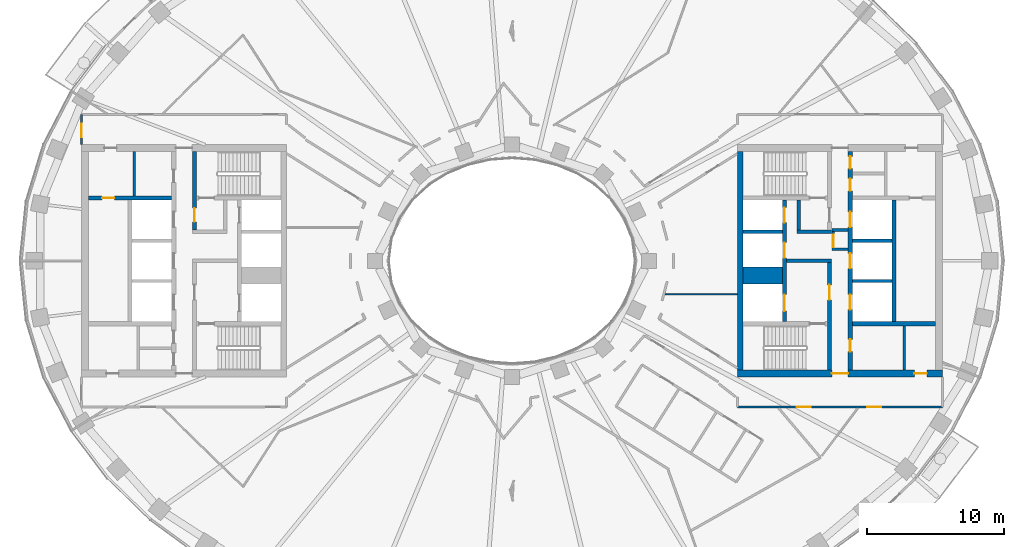
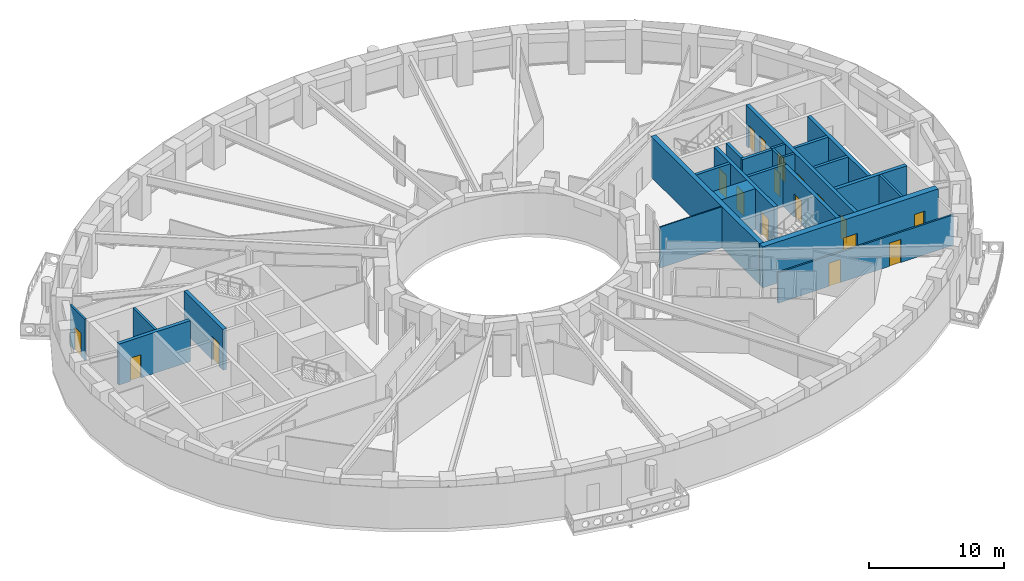
# One storey, part 5 of 16: 24 walls, 18 doors, 18 openings.
"""IFC4 building model written with IfcOpenShell, lengths in metres."""

from ifc_helpers import new_model, si_unit, direction, frame, frame_2d, origin, place, context, subcontext, project, spatial, rectangle, extrude, material, layer, layer_set, type_object, element, fill, save


model = new_model("IFC4")

# Units and contexts
model_context = context("Model", 3, precision=1e-05, world=origin(), true_north=direction((0.0, 1.0)))
body_context = subcontext(model_context, "Body", "Model", "MODEL_VIEW")
ifc_project = project(units=[si_unit("LENGTHUNIT", "METRE"), si_unit("AREAUNIT", "SQUARE_METRE"), si_unit("VOLUMEUNIT", "CUBIC_METRE"), si_unit("PLANEANGLEUNIT", "RADIAN"), si_unit("MASSUNIT", "GRAM", prefix="KILO")], contexts=[model_context])

# Site, building, storey
site_placement = place(None, origin())
site = spatial("IfcSite", under=ifc_project, at=site_placement, CompositionType="ELEMENT")
building_placement = place(site_placement, origin())
building = spatial("IfcBuilding", under=site, at=building_placement, Name="Noorbagh Ring Tower", CompositionType="ELEMENT")
storey_placement = place(building_placement, frame((0.0, 0.0, 166.0)))
storey = spatial("IfcBuildingStorey", under=building, at=storey_placement, Name="L38", CompositionType="ELEMENT", Elevation=166.0)

# Walls
ifc_material_1 = material(Name="Gypsum board on steel studs", Category="steel")
ifc_layer_1 = layer(ifc_material_1, 0.199951171875)
ifc_layer_set_1 = layer_set([ifc_layer_1], Name="Gypsum board on steel studs")
wall_type_1 = type_object("IfcWallType", Name="CORE-PARTITION-200", PredefinedType="PARTITIONING", material=ifc_layer_set_1)
wall_1_placement = place(storey_placement, frame((-27.64990234375, 4.75, 0.0), z_axis=(0.0, 0.0, 1.0), x_axis=(0.0, 1.0, 0.0)))
element("IfcWall", 1, at=wall_1_placement, inside=storey, type_object=wall_type_1, Name="Core partition W", PredefinedType="PARTITIONING", context=body_context, shape_type="SweptSolid", body=[
    extrude(rectangle(XDim=3.25, YDim=0.199951171875, at=frame_2d((1.625, 0.0))), origin(), (0.0, 0.0, 1.0), 3.699951171875),
])
for number, where, z_axis, x_axis, name in (
    (2, (23.39990234375, 0.85009765625, 0.0), (0.0, 0.0, 1.0), (1.0, 0.0, 0.0), "Core partition E"),
    (3, (23.39990234375, 2.25, 0.0), (0.0, 0.0, 1.0), (1.0, 0.0, 0.0), "Core partition E"),
):
    element("IfcWall", number, at=place(storey_placement, frame(where, z_axis=z_axis, x_axis=x_axis)), inside=storey, type_object=wall_type_1, Name=name, PredefinedType="PARTITIONING", context=body_context, shape_type="SweptSolid", body=[
        extrude(rectangle(XDim=1.2001953125, YDim=0.199951171875, at=frame_2d((0.60009765625, 0.0))), origin(), (0.0, 0.0, 1.0), 3.699951171875),
    ])

# Wall, opening, door
wall_2_placement = place(storey_placement, frame((23.5, 0.75, 0.0), z_axis=(0.0, 0.0, 1.0), x_axis=(0.0, 1.0, 0.0)))
wall_2 = element("IfcWall", 4, at=wall_2_placement, inside=storey, type_object=wall_type_1, Name="Core partition E", PredefinedType="PARTITIONING", context=body_context, shape_type="SweptSolid", body=[
    extrude(rectangle(XDim=1.60009765625, YDim=0.199951171875, at=frame_2d((0.800048828125, 0.0))), origin(), (0.0, 0.0, 1.0), 3.699951171875),
])
opening_1_placement = place(wall_2_placement, frame((0.25, 0.0, 0.0)))
opening_1 = element("IfcOpeningElement", 5, at=opening_1_placement, cuts=wall_2, Name="Opening L38-CE18", PredefinedType="OPENING", context=body_context, shape_type="SweptSolid", body=[
    extrude(rectangle(XDim=0.89990234375, YDim=2.10009765625, at=frame_2d((0.449951171875, 1.050048828125))), frame((0.0, 0.10986328125, 0.0), z_axis=(0.0, -1.0, 0.0), x_axis=(1.0, 0.0, 0.0)), (0.0, 0.0, 1.0), 0.219970703125),
])
ifc_material_2 = material(Name="Steel door leaf", Category="steel")
door_type_1 = type_object("IfcDoorType", Name="CORE-DOOR-DROOM", OperationType="SINGLE_SWING_LEFT", PredefinedType="DOOR", material=ifc_material_2)
door_1_placement = place(opening_1_placement, origin())
door_1 = element("IfcDoor", 6, at=door_1_placement, inside=storey, type_object=door_type_1, Name="Core room door L38-CE18", OperationType="SINGLE_SWING_LEFT", OverallHeight=2.10009765625, OverallWidth=0.89990234375, PredefinedType="DOOR", context=body_context, shape_type="SweptSolid", body=[
    extrude(rectangle(XDim=0.89990234375, YDim=2.10009765625, at=frame_2d((0.449951171875, 1.050048828125))), frame((0.0, 0.02490234375, 0.0), z_axis=(0.0, -1.0, 0.0), x_axis=(1.0, 0.0, 0.0)), (0.0, 0.0, 1.0), 0.050048828125),
])
fill(opening_1, door_1)

# Walls
wall_3_placement = place(storey_placement, frame((28.699951171875, -8.0, 0.0), z_axis=(0.0, 0.0, 1.0), x_axis=(0.0, 1.0, 0.0)))
element("IfcWall", 7, at=wall_3_placement, inside=storey, type_object=wall_type_1, Name="Core partition E", PredefinedType="PARTITIONING", context=body_context, shape_type="SweptSolid", body=[
    extrude(rectangle(XDim=3.25, YDim=0.199951171875, at=frame_2d((1.625, 0.0))), origin(), (0.0, 0.0, 1.0), 3.699951171875),
])
ifc_material_3 = material(Name="Concrete C60/75", Category="concrete")
ifc_layer_2 = layer(ifc_material_3, 1.25)
ifc_layer_set_2 = layer_set([ifc_layer_2], Name="Concrete C60/75")
wall_type_2 = type_object("IfcWallType", Name="CORE-WALL-1250-C60-75-EI120", PredefinedType="SHEAR", material=ifc_layer_set_2)
wall_4_placement = place(storey_placement, frame((16.89990234375, -1.074951171875, 0.0), z_axis=(0.0, 0.0, 1.0), x_axis=(1.0, 0.0, 0.0)))
element("IfcWall", 8, at=wall_4_placement, inside=storey, type_object=wall_type_2, Name="Core wall E", PredefinedType="SHEAR", context=body_context, shape_type="SweptSolid", body=[
    extrude(rectangle(XDim=2.900146484375, YDim=1.25, at=frame_2d((1.4501953125, 0.0))), origin(), (0.0, 0.0, 1.0), 3.699951171875),
])
ifc_material_4 = material(Name="Concrete C60/75", Category="concrete")
ifc_layer_3 = layer(ifc_material_4, 0.25)
ifc_layer_set_3 = layer_set([ifc_layer_3], Name="Concrete C60/75")
wall_type_3 = type_object("IfcWallType", Name="CORE-WALL-250-C60-75-EI120", PredefinedType="SHEAR", material=ifc_layer_set_3)
for number, where, z_axis, x_axis, name in (
    (9, (16.89990234375, 2.125, 0.0), (0.0, 0.0, 1.0), (1.0, 0.0, 0.0), "Core wall E"),
    (10, (24.89990234375, -1.47509765625, 0.0), (0.0, 0.0, 1.0), (1.0, 0.0, 0.0), "Core wall E"),
    (11, (24.89990234375, 1.47509765625, 0.0), (0.0, 0.0, 1.0), (1.0, 0.0, 0.0), "Core wall E"),
):
    element("IfcWall", number, at=place(storey_placement, frame(where, z_axis=z_axis, x_axis=x_axis)), inside=storey, type_object=wall_type_3, Name=name, PredefinedType="SHEAR", context=body_context, shape_type="SweptSolid", body=[
        extrude(rectangle(XDim=2.900146484375, YDim=0.25, at=frame_2d((1.4501953125, 0.0))), origin(), (0.0, 0.0, 1.0), 3.699951171875),
    ])
ifc_material_5 = material(Name="Concrete C60/75", Category="concrete")
ifc_layer_4 = layer(ifc_material_5, 0.25)
ifc_layer_set_4 = layer_set([ifc_layer_4], Name="Concrete C60/75")
wall_type_4 = type_object("IfcWallType", Name="CORE-WALL-250-C60-75-EI240", PredefinedType="SHEAR", material=ifc_layer_set_4)
wall_5_placement = place(storey_placement, frame((20.10009765625, 0.0, 0.0), z_axis=(0.0, 0.0, 1.0), x_axis=(1.0, 0.0, 0.0)))
element("IfcWall", 12, at=wall_5_placement, inside=storey, type_object=wall_type_4, Name="Core wall E", PredefinedType="SHEAR", context=body_context, shape_type="SweptSolid", body=[
    extrude(rectangle(XDim=3.27978515625, YDim=0.25, at=frame_2d((1.639892578125, 0.0))), origin(), (0.0, 0.0, 1.0), 3.699951171875),
])
wall_6_placement = place(storey_placement, frame((20.85009765625, 2.125, 0.0), z_axis=(0.0, 0.0, 1.0), x_axis=(1.0, 0.0, 0.0)))
element("IfcWall", 13, at=wall_6_placement, inside=storey, type_object=wall_type_4, Name="Core wall E", PredefinedType="SHEAR", context=body_context, shape_type="SweptSolid", body=[
    extrude(rectangle(XDim=2.52978515625, YDim=0.25, at=frame_2d((1.264892578125, 0.0))), origin(), (0.0, 0.0, 1.0), 3.699951171875),
])
wall_7_placement = place(storey_placement, frame((20.97509765625, 2.25, 0.0), z_axis=(0.0, 0.0, 1.0), x_axis=(0.0, 1.0, 0.0)))
element("IfcWall", 14, at=wall_7_placement, inside=storey, type_object=wall_type_4, Name="Core wall E", PredefinedType="SHEAR", context=body_context, shape_type="SweptSolid", body=[
    extrude(rectangle(XDim=2.199951171875, YDim=0.25, at=frame_2d((1.10009765625, 0.0))), origin(), (0.0, 0.0, 1.0), 3.699951171875),
])
ifc_material_6 = material(Name="Concrete C60/75", Category="concrete")
ifc_layer_5 = layer(ifc_material_6, 0.300048828125)
ifc_layer_set_5 = layer_set([ifc_layer_5], Name="Concrete C60/75")
wall_type_5 = type_object("IfcWallType", Name="CORE-WALL-300-C60-75-EI120", PredefinedType="SHEAR", material=ifc_layer_set_5)
wall_8_placement = place(storey_placement, frame((27.949951171875, -4.449951171875, 0.0), z_axis=(0.0, 0.0, 1.0), x_axis=(0.0, 1.0, 0.0)))
element("IfcWall", 15, at=wall_8_placement, inside=storey, type_object=wall_type_5, Name="Core wall E", PredefinedType="SHEAR", context=body_context, shape_type="SweptSolid", body=[
    extrude(rectangle(XDim=8.89990234375, YDim=0.300048828125, at=frame_2d((4.449951171875, 0.0))), origin(), (0.0, 0.0, 1.0), 3.699951171875),
])

# Wall, openings, doors
wall_9_placement = place(storey_placement, frame((19.949951171875, -4.449951171875, 0.0), z_axis=(0.0, 0.0, 1.0), x_axis=(0.0, 1.0, 0.0)))
wall_9 = element("IfcWall", 16, at=wall_9_placement, inside=storey, type_object=wall_type_5, Name="Core wall E", PredefinedType="SHEAR", context=body_context, shape_type="SweptSolid", body=[
    extrude(rectangle(XDim=8.89990234375, YDim=0.300048828125, at=frame_2d((4.449951171875, 0.0))), origin(), (0.0, 0.0, 1.0), 3.699951171875),
])
opening_2_placement = place(wall_9_placement, frame((0.77490234375, 0.0, 0.0)))
opening_2 = element("IfcOpeningElement", 17, at=opening_2_placement, cuts=wall_9, Name="Opening L38-CE01", PredefinedType="OPENING", context=body_context, shape_type="SweptSolid", body=[
    extrude(rectangle(XDim=1.199951171875, YDim=2.10009765625, at=frame_2d((0.60009765625, 1.050048828125))), frame((0.0, 0.16015625, 0.0), z_axis=(0.0, -1.0, 0.0), x_axis=(1.0, 0.0, 0.0)), (0.0, 0.0, 1.0), 0.320068359375),
])
opening_3_placement = place(wall_9_placement, frame((4.675048828125, 0.0, 0.0)))
opening_3 = element("IfcOpeningElement", 18, at=opening_3_placement, cuts=wall_9, Name="Opening L38-CE02", PredefinedType="OPENING", context=body_context, shape_type="SweptSolid", body=[
    extrude(rectangle(XDim=1.10009765625, YDim=2.10009765625, at=frame_2d((0.550048828125, 1.050048828125))), frame((0.0, 0.16015625, 0.0), z_axis=(0.0, -1.0, 0.0), x_axis=(1.0, 0.0, 0.0)), (0.0, 0.0, 1.0), 0.320068359375),
])
opening_4_placement = place(wall_9_placement, frame((7.25, 0.0, 0.0)))
opening_4 = element("IfcOpeningElement", 19, at=opening_4_placement, cuts=wall_9, Name="Opening L38-CE03", PredefinedType="OPENING", context=body_context, shape_type="SweptSolid", body=[
    extrude(rectangle(XDim=1.10009765625, YDim=2.10009765625, at=frame_2d((0.550048828125, 1.050048828125))), frame((0.0, 0.16015625, 0.0), z_axis=(0.0, -1.0, 0.0), x_axis=(1.0, 0.0, 0.0)), (0.0, 0.0, 1.0), 0.320068359375),
])
ifc_material_7 = material(Name="Steel door leaf", Category="steel")
door_type_2 = type_object("IfcDoorType", Name="CORE-DOOR-LD", OperationType="DOUBLE_DOOR_SLIDING", PredefinedType="DOOR", material=ifc_material_7)
door_2_placement = place(opening_3_placement, origin())
door_2 = element("IfcDoor", 20, at=door_2_placement, inside=storey, type_object=door_type_2, Name="Landing door HR7 L38-CE02", OperationType="DOUBLE_DOOR_SLIDING", OverallHeight=2.10009765625, OverallWidth=1.10009765625, PredefinedType="DOOR", context=body_context, shape_type="SweptSolid", body=[
    extrude(rectangle(XDim=1.10009765625, YDim=2.10009765625, at=frame_2d((0.550048828125, 1.050048828125))), frame((0.0, 0.02490234375, 0.0), z_axis=(0.0, -1.0, 0.0), x_axis=(1.0, 0.0, 0.0)), (0.0, 0.0, 1.0), 0.050048828125),
])
fill(opening_3, door_2)
door_3_placement = place(opening_4_placement, origin())
door_3 = element("IfcDoor", 21, at=door_3_placement, inside=storey, type_object=door_type_2, Name="Landing door HR8 L38-CE03", OperationType="DOUBLE_DOOR_SLIDING", OverallHeight=2.10009765625, OverallWidth=1.10009765625, PredefinedType="DOOR", context=body_context, shape_type="SweptSolid", body=[
    extrude(rectangle(XDim=1.10009765625, YDim=2.10009765625, at=frame_2d((0.550048828125, 1.050048828125))), frame((0.0, 0.02490234375, 0.0), z_axis=(0.0, -1.0, 0.0), x_axis=(1.0, 0.0, 0.0)), (0.0, 0.0, 1.0), 0.050048828125),
])
fill(opening_4, door_3)
ifc_material_8 = material(Name="Steel door leaf", Category="steel")
door_type_3 = type_object("IfcDoorType", Name="CORE-DOOR-LDW", OperationType="DOUBLE_DOOR_SLIDING", PredefinedType="DOOR", material=ifc_material_8)
door_4_placement = place(opening_2_placement, origin())
door_4 = element("IfcDoor", 22, at=door_4_placement, inside=storey, type_object=door_type_3, Name="Landing door FF2 L38-CE01", OperationType="DOUBLE_DOOR_SLIDING", OverallHeight=2.10009765625, OverallWidth=1.199951171875, PredefinedType="DOOR", context=body_context, shape_type="SweptSolid", body=[
    extrude(rectangle(XDim=1.199951171875, YDim=2.10009765625, at=frame_2d((0.60009765625, 1.050048828125))), frame((0.0, 0.02490234375, 0.0), z_axis=(0.0, -1.0, 0.0), x_axis=(1.0, 0.0, 0.0)), (0.0, 0.0, 1.0), 0.050048828125),
])
fill(opening_2, door_4)

wall_10_placement = place(storey_placement, frame((24.75, -8.0, 0.0), z_axis=(0.0, 0.0, 1.0), x_axis=(0.0, 1.0, 0.0)))
wall_10 = element("IfcWall", 23, at=wall_10_placement, inside=storey, type_object=wall_type_5, Name="Core wall E", PredefinedType="SHEAR", context=body_context, shape_type="SweptSolid", body=[
    extrude(rectangle(XDim=16.0, YDim=0.300048828125, at=frame_2d((8.0, 0.0))), origin(), (0.0, 0.0, 1.0), 3.699951171875),
])
opening_5_placement = place(wall_10_placement, frame((4.425048828125, 0.0, 0.0)))
opening_5 = element("IfcOpeningElement", 24, at=opening_5_placement, cuts=wall_10, Name="Opening L38-CE04", PredefinedType="OPENING", context=body_context, shape_type="SweptSolid", body=[
    extrude(rectangle(XDim=1.10009765625, YDim=2.10009765625, at=frame_2d((0.550048828125, 1.050048828125))), frame((0.0, 0.16015625, 0.0), z_axis=(0.0, -1.0, 0.0), x_axis=(1.0, 0.0, 0.0)), (0.0, 0.0, 1.0), 0.320068359375),
])
opening_6_placement = place(wall_10_placement, frame((7.449951171875, 0.0, 0.0)))
opening_6 = element("IfcOpeningElement", 25, at=opening_6_placement, cuts=wall_10, Name="Opening L38-CE05", PredefinedType="OPENING", context=body_context, shape_type="SweptSolid", body=[
    extrude(rectangle(XDim=1.10009765625, YDim=2.10009765625, at=frame_2d((0.550048828125, 1.050048828125))), frame((0.0, 0.16015625, 0.0), z_axis=(0.0, -1.0, 0.0), x_axis=(1.0, 0.0, 0.0)), (0.0, 0.0, 1.0), 0.320068359375),
])
opening_7_placement = place(wall_10_placement, frame((10.47509765625, 0.0, 0.0)))
opening_7 = element("IfcOpeningElement", 26, at=opening_7_placement, cuts=wall_10, Name="Opening L38-CE06", PredefinedType="OPENING", context=body_context, shape_type="SweptSolid", body=[
    extrude(rectangle(XDim=1.10009765625, YDim=2.10009765625, at=frame_2d((0.550048828125, 1.050048828125))), frame((0.0, 0.16015625, 0.0), z_axis=(0.0, -1.0, 0.0), x_axis=(1.0, 0.0, 0.0)), (0.0, 0.0, 1.0), 0.320068359375),
])
opening_8_placement = place(wall_10_placement, frame((13.125, 0.0, 0.0)))
opening_8 = element("IfcOpeningElement", 27, at=opening_8_placement, cuts=wall_10, Name="Opening L38-CE13", PredefinedType="OPENING", context=body_context, shape_type="SweptSolid", body=[
    extrude(rectangle(XDim=0.89990234375, YDim=2.10009765625, at=frame_2d((0.449951171875, 1.050048828125))), frame((0.0, 0.16015625, 0.0), z_axis=(0.0, -1.0, 0.0), x_axis=(1.0, 0.0, 0.0)), (0.0, 0.0, 1.0), 0.320068359375),
])
opening_9_placement = place(wall_10_placement, frame((14.75, 0.0, 0.0)))
opening_9 = element("IfcOpeningElement", 28, at=opening_9_placement, cuts=wall_10, Name="Opening L38-CE14", PredefinedType="OPENING", context=body_context, shape_type="SweptSolid", body=[
    extrude(rectangle(XDim=0.89990234375, YDim=2.10009765625, at=frame_2d((0.449951171875, 1.050048828125))), frame((0.0, 0.16015625, 0.0), z_axis=(0.0, -1.0, 0.0), x_axis=(1.0, 0.0, 0.0)), (0.0, 0.0, 1.0), 0.320068359375),
])
opening_10_placement = place(wall_10_placement, frame((1.35009765625, 0.0, 0.0)))
opening_10 = element("IfcOpeningElement", 29, at=opening_10_placement, cuts=wall_10, Name="Opening L38-CE16", PredefinedType="OPENING", context=body_context, shape_type="SweptSolid", body=[
    extrude(rectangle(XDim=0.89990234375, YDim=2.10009765625, at=frame_2d((0.449951171875, 1.050048828125))), frame((0.0, 0.16015625, 0.0), z_axis=(0.0, -1.0, 0.0), x_axis=(1.0, 0.0, 0.0)), (0.0, 0.0, 1.0), 0.320068359375),
])
door_5_placement = place(opening_8_placement, origin())
door_5 = element("IfcDoor", 30, at=door_5_placement, inside=storey, type_object=door_type_1, Name="Core room door L38-CE13", OperationType="SINGLE_SWING_RIGHT", OverallHeight=2.10009765625, OverallWidth=0.89990234375, PredefinedType="DOOR", context=body_context, shape_type="SweptSolid", body=[
    extrude(rectangle(XDim=0.89990234375, YDim=2.10009765625, at=frame_2d((0.449951171875, 1.050048828125))), frame((0.0, 0.02490234375, 0.0), z_axis=(0.0, -1.0, 0.0), x_axis=(1.0, 0.0, 0.0)), (0.0, 0.0, 1.0), 0.050048828125),
])
fill(opening_8, door_5)
door_6_placement = place(opening_9_placement, origin())
door_6 = element("IfcDoor", 31, at=door_6_placement, inside=storey, type_object=door_type_1, Name="Core room door L38-CE14", OperationType="SINGLE_SWING_LEFT", OverallHeight=2.10009765625, OverallWidth=0.89990234375, PredefinedType="DOOR", context=body_context, shape_type="SweptSolid", body=[
    extrude(rectangle(XDim=0.89990234375, YDim=2.10009765625, at=frame_2d((0.449951171875, 1.050048828125))), frame((0.0, 0.02490234375, 0.0), z_axis=(0.0, -1.0, 0.0), x_axis=(1.0, 0.0, 0.0)), (0.0, 0.0, 1.0), 0.050048828125),
])
fill(opening_9, door_6)
door_7_placement = place(opening_10_placement, origin())
door_7 = element("IfcDoor", 32, at=door_7_placement, inside=storey, type_object=door_type_1, Name="Core room door L38-CE16", OperationType="SINGLE_SWING_RIGHT", OverallHeight=2.10009765625, OverallWidth=0.89990234375, PredefinedType="DOOR", context=body_context, shape_type="SweptSolid", body=[
    extrude(rectangle(XDim=0.89990234375, YDim=2.10009765625, at=frame_2d((0.449951171875, 1.050048828125))), frame((0.0, 0.02490234375, 0.0), z_axis=(0.0, -1.0, 0.0), x_axis=(1.0, 0.0, 0.0)), (0.0, 0.0, 1.0), 0.050048828125),
])
fill(opening_10, door_7)
door_8_placement = place(opening_5_placement, origin())
door_8 = element("IfcDoor", 33, at=door_8_placement, inside=storey, type_object=door_type_2, Name="Landing door HR9 L38-CE04", OperationType="DOUBLE_DOOR_SLIDING", OverallHeight=2.10009765625, OverallWidth=1.10009765625, PredefinedType="DOOR", context=body_context, shape_type="SweptSolid", body=[
    extrude(rectangle(XDim=1.10009765625, YDim=2.10009765625, at=frame_2d((0.550048828125, 1.050048828125))), frame((0.0, 0.02490234375, 0.0), z_axis=(0.0, -1.0, 0.0), x_axis=(1.0, 0.0, 0.0)), (0.0, 0.0, 1.0), 0.050048828125),
])
fill(opening_5, door_8)
door_9_placement = place(opening_6_placement, origin())
door_9 = element("IfcDoor", 34, at=door_9_placement, inside=storey, type_object=door_type_2, Name="Landing door HR10 L38-CE05", OperationType="DOUBLE_DOOR_SLIDING", OverallHeight=2.10009765625, OverallWidth=1.10009765625, PredefinedType="DOOR", context=body_context, shape_type="SweptSolid", body=[
    extrude(rectangle(XDim=1.10009765625, YDim=2.10009765625, at=frame_2d((0.550048828125, 1.050048828125))), frame((0.0, 0.02490234375, 0.0), z_axis=(0.0, -1.0, 0.0), x_axis=(1.0, 0.0, 0.0)), (0.0, 0.0, 1.0), 0.050048828125),
])
fill(opening_6, door_9)
door_10_placement = place(opening_7_placement, origin())
door_10 = element("IfcDoor", 35, at=door_10_placement, inside=storey, type_object=door_type_2, Name="Landing door HR11 L38-CE06", OperationType="DOUBLE_DOOR_SLIDING", OverallHeight=2.10009765625, OverallWidth=1.10009765625, PredefinedType="DOOR", context=body_context, shape_type="SweptSolid", body=[
    extrude(rectangle(XDim=1.10009765625, YDim=2.10009765625, at=frame_2d((0.550048828125, 1.050048828125))), frame((0.0, 0.02490234375, 0.0), z_axis=(0.0, -1.0, 0.0), x_axis=(1.0, 0.0, 0.0)), (0.0, 0.0, 1.0), 0.050048828125),
])
fill(opening_7, door_10)

# Wall, opening, door
ifc_material_9 = material(Name="Concrete C60/75", Category="concrete")
ifc_layer_6 = layer(ifc_material_9, 0.300048828125)
ifc_layer_set_6 = layer_set([ifc_layer_6], Name="Concrete C60/75")
wall_type_6 = type_object("IfcWallType", Name="CORE-WALL-300-C60-75-EI240", PredefinedType="SHEAR", material=ifc_layer_set_6)
wall_11_placement = place(storey_placement, frame((-24.89990234375, 4.60009765625, 0.0), z_axis=(0.0, 0.0, 1.0), x_axis=(-1.0, 0.0, 0.0)))
wall_11 = element("IfcWall", 36, at=wall_11_placement, inside=storey, type_object=wall_type_6, Name="Core wall W", PredefinedType="SHEAR", context=body_context, shape_type="SweptSolid", body=[
    extrude(rectangle(XDim=6.10009765625, YDim=0.300048828125, at=frame_2d((3.050048828125, 0.0))), origin(), (0.0, 0.0, 1.0), 3.699951171875),
])
opening_11_placement = place(wall_11_placement, frame((4.199951171875, 0.0, 0.0)))
opening_11 = element("IfcOpeningElement", 37, at=opening_11_placement, cuts=wall_11, Name="Opening L38-CW17", PredefinedType="OPENING", context=body_context, shape_type="SweptSolid", body=[
    extrude(rectangle(XDim=0.89990234375, YDim=2.10009765625, at=frame_2d((0.449951171875, 1.050048828125))), frame((0.0, 0.16015625, 0.0), z_axis=(0.0, -1.0, 0.0), x_axis=(1.0, 0.0, 0.0)), (0.0, 0.0, 1.0), 0.320068359375),
])
door_11_placement = place(opening_11_placement, origin())
door_11 = element("IfcDoor", 38, at=door_11_placement, inside=storey, type_object=door_type_1, Name="Core room door L38-CW17", OperationType="SINGLE_SWING_LEFT", OverallHeight=2.10009765625, OverallWidth=0.89990234375, PredefinedType="DOOR", context=body_context, shape_type="SweptSolid", body=[
    extrude(rectangle(XDim=0.89990234375, YDim=2.10009765625, at=frame_2d((0.449951171875, 1.050048828125))), frame((0.0, 0.02490234375, 0.0), z_axis=(0.0, -1.0, 0.0), x_axis=(1.0, 0.0, 0.0)), (0.0, 0.0, 1.0), 0.050048828125),
])
fill(opening_11, door_11)

wall_12_placement = place(storey_placement, frame((-23.22998046875, 2.25, 0.0), z_axis=(0.0, 0.0, 1.0), x_axis=(0.0, 1.0, 0.0)))
wall_12 = element("IfcWall", 39, at=wall_12_placement, inside=storey, type_object=wall_type_6, Name="Core wall W", PredefinedType="SHEAR", context=body_context, shape_type="SweptSolid", body=[
    extrude(rectangle(XDim=5.75, YDim=0.300048828125, at=frame_2d((2.875, 0.0))), origin(), (0.0, 0.0, 1.0), 3.699951171875),
])
opening_12_placement = place(wall_12_placement, frame((0.60009765625, 0.0, 0.0)))
opening_12 = element("IfcOpeningElement", 40, at=opening_12_placement, cuts=wall_12, Name="Opening L38-CW09", PredefinedType="OPENING", context=body_context, shape_type="SweptSolid", body=[
    extrude(rectangle(XDim=1.0, YDim=2.10009765625, at=frame_2d((0.5, 1.050048828125))), frame((0.0, 0.16015625, 0.0), z_axis=(0.0, -1.0, 0.0), x_axis=(1.0, 0.0, 0.0)), (0.0, 0.0, 1.0), 0.320068359375),
])
ifc_material_10 = material(Name="Steel door leaf", Category="steel")
door_type_4 = type_object("IfcDoorType", Name="CORE-DOOR-DVEST", OperationType="SINGLE_SWING_LEFT", PredefinedType="DOOR", material=ifc_material_10)
door_12_placement = place(opening_12_placement, origin())
door_12 = element("IfcDoor", 41, at=door_12_placement, inside=storey, type_object=door_type_4, Name="Stair vestibule door L38-CW09", OperationType="SINGLE_SWING_LEFT", OverallHeight=2.10009765625, OverallWidth=1.0, PredefinedType="DOOR", context=body_context, shape_type="SweptSolid", body=[
    extrude(rectangle(XDim=1.0, YDim=2.10009765625, at=frame_2d((0.5, 1.050048828125))), frame((0.0, 0.02490234375, 0.0), z_axis=(0.0, -1.0, 0.0), x_axis=(1.0, 0.0, 0.0)), (0.0, 0.0, 1.0), 0.050048828125),
])
fill(opening_12, door_12)

# Wall
wall_13_placement = place(storey_placement, frame((24.89990234375, -4.60009765625, 0.0), z_axis=(0.0, 0.0, 1.0), x_axis=(1.0, 0.0, 0.0)))
element("IfcWall", 42, at=wall_13_placement, inside=storey, type_object=wall_type_6, Name="Core wall E", PredefinedType="SHEAR", context=body_context, shape_type="SweptSolid", body=[
    extrude(rectangle(XDim=6.10009765625, YDim=0.300048828125, at=frame_2d((3.050048828125, 0.0))), origin(), (0.0, 0.0, 1.0), 3.699951171875),
])

# Wall, opening, door
wall_14_placement = place(storey_placement, frame((23.22998046875, -8.0, 0.0), z_axis=(0.0, 0.0, 1.0), x_axis=(0.0, 1.0, 0.0)))
wall_14 = element("IfcWall", 43, at=wall_14_placement, inside=storey, type_object=wall_type_6, Name="Core wall E", PredefinedType="SHEAR", context=body_context, shape_type="SweptSolid", body=[
    extrude(rectangle(XDim=7.875, YDim=0.300048828125, at=frame_2d((3.9375, 0.0))), origin(), (0.0, 0.0, 1.0), 3.699951171875),
])
opening_13_placement = place(wall_14_placement, frame((5.14990234375, 0.0, 0.0)))
opening_13 = element("IfcOpeningElement", 44, at=opening_13_placement, cuts=wall_14, Name="Opening L38-CE09", PredefinedType="OPENING", context=body_context, shape_type="SweptSolid", body=[
    extrude(rectangle(XDim=1.10009765625, YDim=2.10009765625, at=frame_2d((0.550048828125, 1.050048828125))), frame((0.0, 0.16015625, 0.0), z_axis=(0.0, -1.0, 0.0), x_axis=(1.0, 0.0, 0.0)), (0.0, 0.0, 1.0), 0.320068359375),
])
ifc_material_11 = material(Name="Steel door leaf", Category="steel")
door_type_5 = type_object("IfcDoorType", Name="CORE-DOOR-DFF", OperationType="SINGLE_SWING_LEFT", PredefinedType="DOOR", material=ifc_material_11)
door_13_placement = place(opening_13_placement, origin())
door_13 = element("IfcDoor", 45, at=door_13_placement, inside=storey, type_object=door_type_5, Name="Firefighting lobby door L38-CE09", OperationType="SINGLE_SWING_RIGHT", OverallHeight=2.10009765625, OverallWidth=1.10009765625, PredefinedType="DOOR", context=body_context, shape_type="SweptSolid", body=[
    extrude(rectangle(XDim=1.10009765625, YDim=2.10009765625, at=frame_2d((0.550048828125, 1.050048828125))), frame((0.0, 0.02490234375, 0.0), z_axis=(0.0, -1.0, 0.0), x_axis=(1.0, 0.0, 0.0)), (0.0, 0.0, 1.0), 0.050048828125),
])
fill(opening_13, door_13)

# Wall
ifc_material_12 = material(Name="Concrete C60/75", Category="concrete")
ifc_layer_7 = layer(ifc_material_12, 0.39990234375)
ifc_layer_set_7 = layer_set([ifc_layer_7], Name="Concrete C60/75")
wall_type_7 = type_object("IfcWallType", Name="CORE-WALL-400-C60-75-EI240", PredefinedType="SHEAR", material=ifc_layer_set_7)
wall_15_placement = place(storey_placement, frame((16.699951171875, -8.0, 0.0), z_axis=(0.0, 0.0, 1.0), x_axis=(0.0, 1.0, 0.0)))
element("IfcWall", 46, at=wall_15_placement, inside=storey, type_object=wall_type_7, Name="Core wall E", PredefinedType="SHEAR", context=body_context, shape_type="SweptSolid", body=[
    extrude(rectangle(XDim=16.0, YDim=0.39990234375, at=frame_2d((8.0, 0.0))), origin(), (0.0, 0.0, 1.0), 3.699951171875),
])

# Wall, openings, doors
ifc_material_13 = material(Name="Concrete C60/75", Category="concrete")
ifc_layer_8 = layer(ifc_material_13, 0.5)
ifc_layer_set_8 = layer_set([ifc_layer_8], Name="Concrete C60/75")
wall_type_8 = type_object("IfcWallType", Name="CORE-WALL-500-C60-75-EI240", PredefinedType="SHEAR", material=ifc_layer_set_8)
wall_16_placement = place(storey_placement, frame((16.5, -8.25, 0.0), z_axis=(0.0, 0.0, 1.0), x_axis=(1.0, 0.0, 0.0)))
wall_16 = element("IfcWall", 47, at=wall_16_placement, inside=storey, type_object=wall_type_8, Name="Core wall E", PredefinedType="SHEAR", context=body_context, shape_type="SweptSolid", body=[
    extrude(rectangle(XDim=15.0, YDim=0.5, at=frame_2d((7.5, 0.0))), origin(), (0.0, 0.0, 1.0), 3.699951171875),
])
opening_14_placement = place(wall_16_placement, frame((6.89990234375, 0.0, 0.0)))
opening_14 = element("IfcOpeningElement", 48, at=opening_14_placement, cuts=wall_16, Name="Opening L38-CE12", PredefinedType="OPENING", context=body_context, shape_type="SweptSolid", body=[
    extrude(rectangle(XDim=1.199951171875, YDim=2.10009765625, at=frame_2d((0.60009765625, 1.050048828125))), frame((0.0, 0.260009765625, 0.0), z_axis=(0.0, -1.0, 0.0), x_axis=(1.0, 0.0, 0.0)), (0.0, 0.0, 1.0), 0.52001953125),
])
opening_15_placement = place(wall_16_placement, frame((12.949951171875, 0.0, 0.0)))
opening_15 = element("IfcOpeningElement", 49, at=opening_15_placement, cuts=wall_16, Name="Opening L38-CE17", PredefinedType="OPENING", context=body_context, shape_type="SweptSolid", body=[
    extrude(rectangle(XDim=0.89990234375, YDim=2.10009765625, at=frame_2d((0.449951171875, 1.050048828125))), frame((0.0, 0.260009765625, 0.0), z_axis=(0.0, -1.0, 0.0), x_axis=(1.0, 0.0, 0.0)), (0.0, 0.0, 1.0), 0.52001953125),
])
door_14_placement = place(opening_15_placement, origin())
door_14 = element("IfcDoor", 50, at=door_14_placement, inside=storey, type_object=door_type_1, Name="Core room door L38-CE17", OperationType="SINGLE_SWING_RIGHT", OverallHeight=2.10009765625, OverallWidth=0.89990234375, PredefinedType="DOOR", context=body_context, shape_type="SweptSolid", body=[
    extrude(rectangle(XDim=0.89990234375, YDim=2.10009765625, at=frame_2d((0.449951171875, 1.050048828125))), frame((0.0, 0.02490234375, 0.0), z_axis=(0.0, -1.0, 0.0), x_axis=(1.0, 0.0, 0.0)), (0.0, 0.0, 1.0), 0.050048828125),
])
fill(opening_15, door_14)
ifc_material_14 = material(Name="Steel door leaf", Category="steel")
door_type_6 = type_object("IfcDoorType", Name="CORE-DOOR-PORT", OperationType="DOUBLE_DOOR_DOUBLE_SWING", PredefinedType="DOOR", material=ifc_material_14)
door_15_placement = place(opening_14_placement, origin())
door_15 = element("IfcDoor", 51, at=door_15_placement, inside=storey, type_object=door_type_6, Name="Core entrance door L38-CE12", OperationType="DOUBLE_DOOR_DOUBLE_SWING", OverallHeight=2.10009765625, OverallWidth=1.199951171875, PredefinedType="DOOR", context=body_context, shape_type="SweptSolid", body=[
    extrude(rectangle(XDim=1.199951171875, YDim=2.10009765625, at=frame_2d((0.60009765625, 1.050048828125))), frame((0.0, 0.02490234375, 0.0), z_axis=(0.0, -1.0, 0.0), x_axis=(1.0, 0.0, 0.0)), (0.0, 0.0, 1.0), 0.050048828125),
])
fill(opening_14, door_15)

# Wall, opening, door
ifc_material_15 = material(Name="Gypsum board on steel studs", Category="steel")
ifc_layer_9 = layer(ifc_material_15, 0.14990234375)
ifc_layer_set_9 = layer_set([ifc_layer_9], Name="Gypsum board on steel studs")
wall_type_9 = type_object("IfcWallType", Name="CORRIDOR PARTITION 150 EI 30", PredefinedType="PARTITIONING", material=ifc_layer_set_9)
wall_17_placement = place(storey_placement, frame((-31.5, 8.5, 0.0), z_axis=(0.0, 0.0, 1.0), x_axis=(0.0, 1.0, 0.0)))
wall_17 = element("IfcWall", 52, at=wall_17_placement, inside=storey, type_object=wall_type_9, Name="L38/wall/P06", PredefinedType="PARTITIONING", context=body_context, shape_type="SweptSolid", body=[
    extrude(rectangle(XDim=2.199951171875, YDim=0.14990234375, at=frame_2d((1.10009765625, 0.0))), origin(), (0.0, 0.0, 1.0), 3.699951171875),
])
opening_16_placement = place(wall_17_placement, frame((0.550048828125, 0.0, 0.0)))
opening_16 = element("IfcOpeningElement", 53, at=opening_16_placement, cuts=wall_17, Name="Opening D1", PredefinedType="OPENING", context=body_context, shape_type="SweptSolid", body=[
    extrude(rectangle(XDim=1.0, YDim=2.10009765625, at=frame_2d((0.5, 1.050048828125))), frame((0.0, 0.0849609375, 0.0), z_axis=(0.0, -1.0, 0.0), x_axis=(1.0, 0.0, 0.0)), (0.0, 0.0, 1.0), 0.169921875),
])
ifc_material_16 = material(Name="Timber, painted", Category="wood")
door_type_7 = type_object("IfcDoorType", Name="DOOR 1000 X 2100 FD30", OperationType="SINGLE_SWING_LEFT", PredefinedType="DOOR", material=ifc_material_16)
door_16_placement = place(opening_16_placement, origin())
door_16 = element("IfcDoor", 54, at=door_16_placement, inside=storey, type_object=door_type_7, Name="L38-D07", OperationType="SINGLE_SWING_LEFT", OverallHeight=2.10009765625, OverallWidth=1.0, PredefinedType="DOOR", context=body_context, shape_type="SweptSolid", body=[
    extrude(rectangle(XDim=1.0, YDim=2.10009765625, at=frame_2d((0.5, 1.050048828125))), frame((0.0, 0.02490234375, 0.0), z_axis=(0.0, -1.0, 0.0), x_axis=(1.0, 0.0, 0.0)), (0.0, 0.0, 1.0), 0.050048828125),
])
fill(opening_16, door_16)

# Wall, openings, doors
wall_18_placement = place(storey_placement, frame((16.5, -10.699951171875, 0.0), z_axis=(0.0, 0.0, 1.0), x_axis=(1.0, 0.0, 0.0)))
wall_18 = element("IfcWall", 55, at=wall_18_placement, inside=storey, type_object=wall_type_9, Name="L38/wall/P80", PredefinedType="PARTITIONING", context=body_context, shape_type="SweptSolid", body=[
    extrude(rectangle(XDim=15.0, YDim=0.14990234375, at=frame_2d((7.5, 0.0))), origin(), (0.0, 0.0, 1.0), 2.75),
])
opening_17_placement = place(wall_18_placement, frame((4.344970703125, 0.0, 0.0)))
opening_17 = element("IfcOpeningElement", 56, at=opening_17_placement, cuts=wall_18, Name="Opening D1", PredefinedType="OPENING", context=body_context, shape_type="SweptSolid", body=[
    extrude(rectangle(XDim=1.0, YDim=2.10009765625, at=frame_2d((0.5, 1.050048828125))), frame((0.0, 0.0849609375, 0.0), z_axis=(0.0, -1.0, 0.0), x_axis=(1.0, 0.0, 0.0)), (0.0, 0.0, 1.0), 0.169921875),
])
opening_18_placement = place(wall_18_placement, frame((9.5048828125, 0.0, 0.0)))
opening_18 = element("IfcOpeningElement", 57, at=opening_18_placement, cuts=wall_18, Name="Opening D1", PredefinedType="OPENING", context=body_context, shape_type="SweptSolid", body=[
    extrude(rectangle(XDim=1.0, YDim=2.10009765625, at=frame_2d((0.5, 1.050048828125))), frame((0.0, 0.0849609375, 0.0), z_axis=(0.0, -1.0, 0.0), x_axis=(1.0, 0.0, 0.0)), (0.0, 0.0, 1.0), 0.169921875),
])
door_17_placement = place(opening_17_placement, origin())
door_17 = element("IfcDoor", 58, at=door_17_placement, inside=storey, type_object=door_type_7, Name="L38-D13", OperationType="SINGLE_SWING_LEFT", OverallHeight=2.10009765625, OverallWidth=1.0, PredefinedType="DOOR", context=body_context, shape_type="SweptSolid", body=[
    extrude(rectangle(XDim=1.0, YDim=2.10009765625, at=frame_2d((0.5, 1.050048828125))), frame((0.0, 0.02490234375, 0.0), z_axis=(0.0, -1.0, 0.0), x_axis=(1.0, 0.0, 0.0)), (0.0, 0.0, 1.0), 0.050048828125),
])
fill(opening_17, door_17)
door_18_placement = place(opening_18_placement, origin())
door_18 = element("IfcDoor", 59, at=door_18_placement, inside=storey, type_object=door_type_7, Name="L38-D15", OperationType="SINGLE_SWING_LEFT", OverallHeight=2.10009765625, OverallWidth=1.0, PredefinedType="DOOR", context=body_context, shape_type="SweptSolid", body=[
    extrude(rectangle(XDim=1.0, YDim=2.10009765625, at=frame_2d((0.5, 1.050048828125))), frame((0.0, 0.02490234375, 0.0), z_axis=(0.0, -1.0, 0.0), x_axis=(1.0, 0.0, 0.0)), (0.0, 0.0, 1.0), 0.050048828125),
])
fill(opening_18, door_18)

# Wall
ifc_material_17 = material(Name="Gypsum board on steel studs", Category="steel")
ifc_layer_10 = layer(ifc_material_17, 0.10009765625)
ifc_layer_set_10 = layer_set([ifc_layer_10], Name="Gypsum board on steel studs")
wall_type_10 = type_object("IfcWallType", Name="PARTITION 100 GYPSUM", PredefinedType="PARTITIONING", material=ifc_layer_set_10)
wall_19_placement = place(storey_placement, frame((11.193115234375, -2.43994140625, 0.0), z_axis=(0.0, 0.0, 1.0), x_axis=(1.0, 0.0, 0.0)))
element("IfcWall", 60, at=wall_19_placement, inside=storey, type_object=wall_type_10, Name="L38/wall/P70", PredefinedType="PARTITIONING", context=body_context, shape_type="SweptSolid", body=[
    extrude(rectangle(XDim=5.306884765625, YDim=0.10009765625, at=frame_2d((2.6533203125, 0.0))), origin(), (0.0, 0.0, 1.0), 3.699951171875),
])

save(model, "model.ifc")
